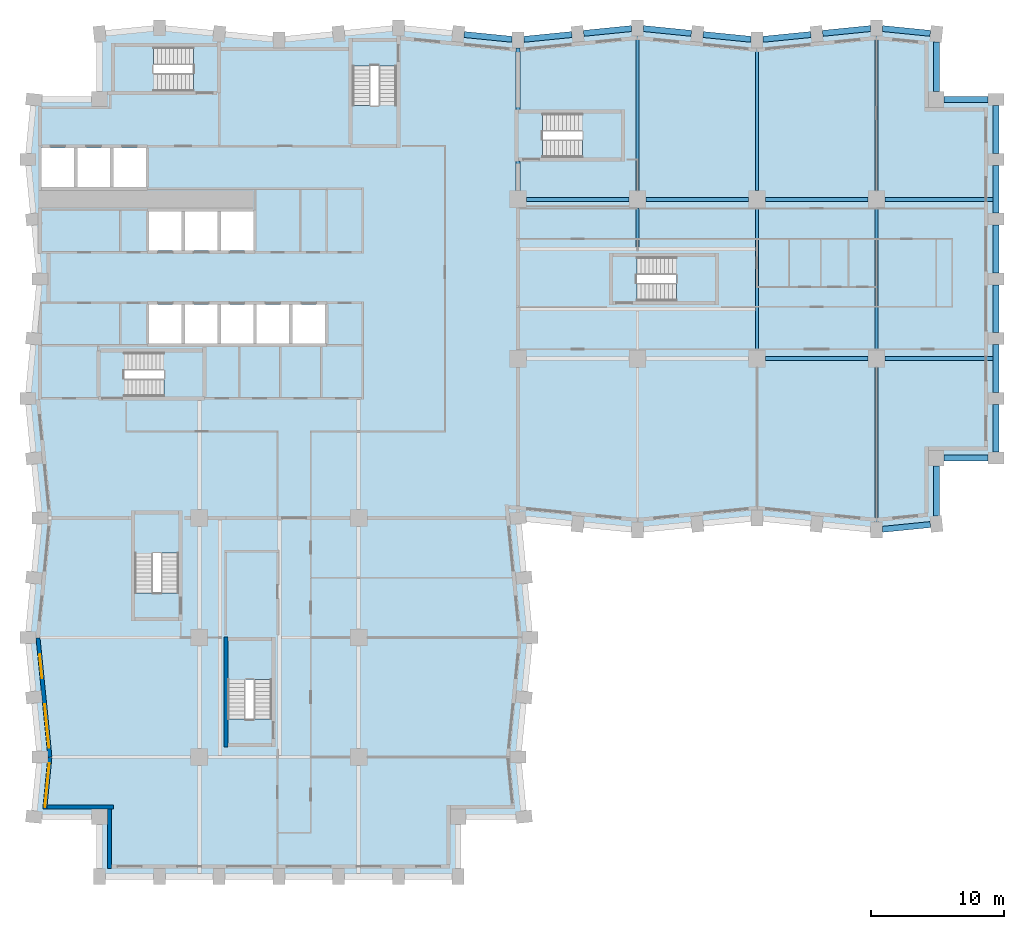
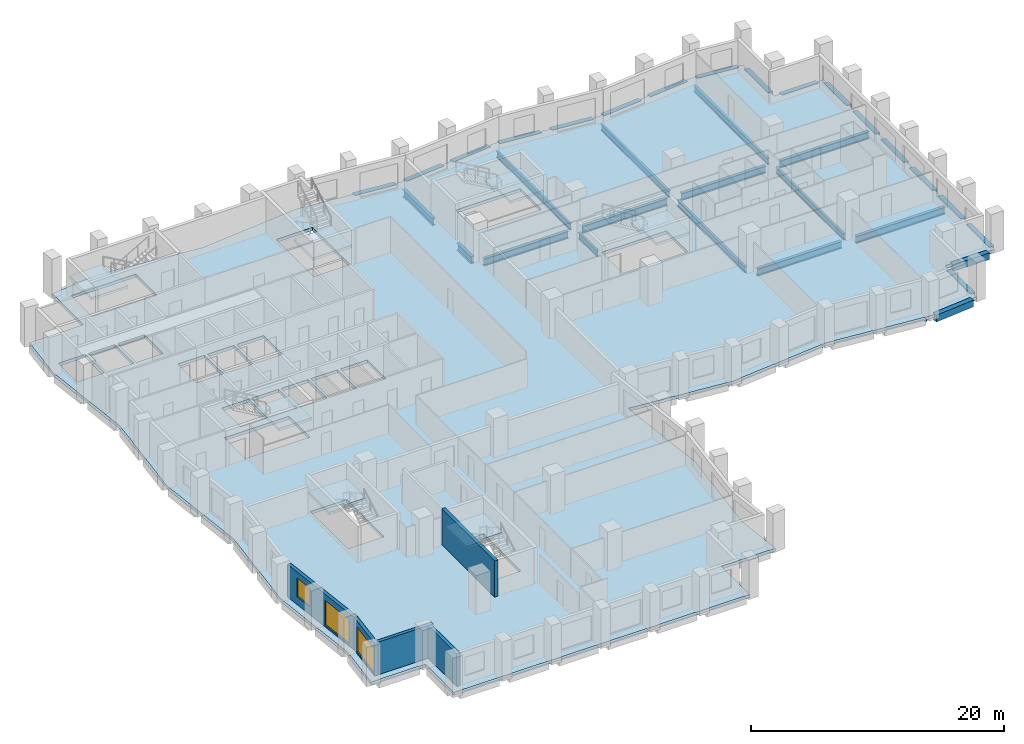
# One storey, part 2 of 11: 34 beams, 8 slabs, 5 walls, 3 windows, 3 openings, 7 elements without a shape of their own.
"""IFC4 building model written with IfcOpenShell, lengths in metres."""

import ifcopenshell
import ifcopenshell.guid

model = None  # the IFC model being written
_history = None  # IfcOwnerHistory: only IFC2X3 demands one
_inside = {}  # id of a spatial element -> (the spatial element, [elements in it])
_under = {}  # id of a project, library or spatial element -> (it, [spatial elements below it])
_declared = {}  # id of a project -> (the project, [libraries it declares])
_typed = {}  # id of a type object -> (the type object, [elements of that type])
_made_of = {}  # id of a material, layer set ... -> (it, [elements and type objects made of it])


def new_model(schema):
    """Start an empty IFC model of exactly this schema.

    Asked for "IFC4X3", IfcOpenShell would pick the latest addendum, in which some entities
    have other attributes; the version numbers below select the first issue.
    IFC2X3 requires an IfcOwnerHistory on every rooted entity: one is made here for all.
    """
    global model, _history
    if schema == "IFC4X3":
        model = ifcopenshell.file(schema_version=(4, 3, 0, 0))
    else:
        model = ifcopenshell.file(schema=schema)
    _inside.clear()
    _under.clear()
    _declared.clear()
    _typed.clear()
    _made_of.clear()
    _history = None
    if model.schema == "IFC2X3":
        org = make("IfcOrganization", Name="unknown")
        user = make(
            "IfcPersonAndOrganization",
            ThePerson=make("IfcPerson", FamilyName="unknown"),
            TheOrganization=org,
        )
        app = make(
            "IfcApplication",
            ApplicationDeveloper=org,
            Version="unknown",
            ApplicationFullName="unknown",
            ApplicationIdentifier="unknown",
        )
        _history = make(
            "IfcOwnerHistory",
            OwningUser=user,
            OwningApplication=app,
            ChangeAction="ADDED",
            CreationDate=0,
        )
    return model


def make(cls, **values):
    """One entity of the class cls with the attributes given. An attribute that is None is left unset."""
    return model.create_entity(
        cls, **{name: value for name, value in values.items() if value is not None}
    )


def rooted(cls, **values):
    """An entity with a GlobalId (a new one), such as an element, a storey or a relation."""
    return make(cls, GlobalId=ifcopenshell.guid.new(), OwnerHistory=_history, **values)


def si_unit(unit_type, name, prefix=None):
    """IfcSIUnit, for example si_unit("LENGTHUNIT", "METRE", prefix="MILLI")."""
    return make("IfcSIUnit", UnitType=unit_type, Prefix=prefix, Name=name)


def assignment(units):
    """IfcUnitAssignment: the units of a project."""
    return None if units is None else make("IfcUnitAssignment", Units=units)


def point(xyz):
    """IfcCartesianPoint."""
    return None if xyz is None else make("IfcCartesianPoint", Coordinates=xyz)


def direction(xyz):
    """IfcDirection."""
    return None if xyz is None else make("IfcDirection", DirectionRatios=xyz)


def frame(location, z_axis=None, x_axis=None):
    """IfcAxis2Placement3D, a coordinate frame: its origin and axes. An axis left out is left unset."""
    return make(
        "IfcAxis2Placement3D",
        Location=point(location),
        Axis=direction(z_axis),
        RefDirection=direction(x_axis),
    )


def frame_2d(location, x_axis=None):
    """IfcAxis2Placement2D, a coordinate frame in the plane: its origin and x axis."""
    return make(
        "IfcAxis2Placement2D", Location=point(location), RefDirection=direction(x_axis)
    )


def origin():
    """The frame at (0, 0, 0) with its axes left unset."""
    return frame((0.0, 0.0, 0.0))


def origin_2d():
    """The frame at (0, 0) in the plane with its x axis left unset."""
    return frame_2d((0.0, 0.0))


def place(relative_to, where):
    """IfcLocalPlacement: puts the frame where relative to a parent placement (None: the world)."""
    return make(
        "IfcLocalPlacement", PlacementRelTo=relative_to, RelativePlacement=where
    )


def context(
    kind, dimensions, precision=None, world=None, true_north=None, identifier=None
):
    """IfcGeometricRepresentationContext, for example the 3D "Model" context."""
    return make(
        "IfcGeometricRepresentationContext",
        ContextIdentifier=identifier,
        ContextType=kind,
        CoordinateSpaceDimension=dimensions,
        Precision=precision,
        WorldCoordinateSystem=world,
        TrueNorth=true_north,
    )


def subcontext(parent, identifier, kind, view, scale=None):
    """IfcGeometricRepresentationSubContext, for example "Body" below "Model"."""
    return make(
        "IfcGeometricRepresentationSubContext",
        ContextIdentifier=identifier,
        ContextType=kind,
        ParentContext=parent,
        TargetScale=scale,
        TargetView=view,
    )


def project(units=None, contexts=None):
    """IfcProject with its units and contexts."""
    return rooted(
        "IfcProject",
        Name="project",
        RepresentationContexts=contexts,
        UnitsInContext=assignment(units),
    )


def spatial(cls, under=None, at=None, **own):
    """A site, building, storey or space (cls), placed at a placement, below another one or the project."""
    s = rooted(cls, ObjectPlacement=at, **own)
    if under is not None:
        _under.setdefault(under.id(), (under, []))[1].append(s)
    return s


def polyline(points):
    """IfcPolyline through the points."""
    return make("IfcPolyline", Points=[point(p) for p in points])


def profile(cls, at=None, kind="AREA", **sizes):
    """A parametric profile (cls). Its sizes go by their IFC names, for example OverallWidth=200.0."""
    return make(cls, ProfileType=kind, Position=at, **sizes)


def rectangle(**sizes):
    """IfcRectangleProfileDef."""
    return profile("IfcRectangleProfileDef", **sizes)


def i_section(**sizes):
    """IfcIShapeProfileDef."""
    return profile("IfcIShapeProfileDef", **sizes)


def outline(outer, holes=None, kind="AREA"):
    """IfcArbitraryClosedProfileDef: a profile drawn as a closed curve; with holes, ...WithVoids."""
    if holes is None:
        return make("IfcArbitraryClosedProfileDef", ProfileType=kind, OuterCurve=outer)
    return make(
        "IfcArbitraryProfileDefWithVoids",
        ProfileType=kind,
        OuterCurve=outer,
        InnerCurves=holes,
    )


def extrude(swept, where, along, depth):
    """IfcExtrudedAreaSolid: the profile swept, set in the frame where, extruded along a direction by depth."""
    return make(
        "IfcExtrudedAreaSolid",
        SweptArea=swept,
        Position=where,
        ExtrudedDirection=direction(along),
        Depth=depth,
    )


def shape(context_of_items, identifier, shape_type, items):
    """IfcShapeRepresentation: the items that make up one representation, for example the "Body"."""
    return make(
        "IfcShapeRepresentation",
        ContextOfItems=context_of_items,
        RepresentationIdentifier=identifier,
        RepresentationType=shape_type,
        Items=items,
    )


def material(Name=None, Category=None):
    """IfcMaterial."""
    return make("IfcMaterial", Name=Name, Category=Category)


def layer(
    of_material, thickness, ventilated=None, Name=None, Category=None, Priority=None
):
    """IfcMaterialLayer: one layer of a wall or slab, of a material (None: an air gap)."""
    return make(
        "IfcMaterialLayer",
        Material=of_material,
        LayerThickness=thickness,
        IsVentilated=ventilated,
        Name=Name,
        Category=Category,
        Priority=Priority,
    )


def layer_set(layers, Name=None):
    """IfcMaterialLayerSet."""
    return make("IfcMaterialLayerSet", MaterialLayers=layers, LayerSetName=Name)


def material_profile(
    of_material, cross_section, Name=None, Category=None, Priority=None
):
    """IfcMaterialProfile: a cross section and its material."""
    return make(
        "IfcMaterialProfile",
        Name=Name,
        Material=of_material,
        Profile=cross_section,
        Priority=Priority,
        Category=Category,
    )


def profile_set(profiles, Name=None, composite=None):
    """IfcMaterialProfileSet."""
    return make(
        "IfcMaterialProfileSet",
        Name=Name,
        MaterialProfiles=profiles,
        CompositeProfile=composite,
    )


def made_of(thing, what):
    """Note that an element or type object is made of a material, layer set ...; save() writes the relation."""
    if what is not None:
        _made_of.setdefault(what.id(), (what, []))[1].append(thing)
    return thing


def type_object(cls, material=None, **own):
    """A type object (cls), such as IfcWallType, which elements share."""
    return made_of(rooted(cls, **own), material)


def element(
    cls,
    number,
    at=None,
    inside=None,
    cuts=None,
    type_object=None,
    material=None,
    context=None,
    identifier="Body",
    shape_type=None,
    held_by="IfcProductDefinitionShape",
    body=None,
    shapes=None,
    **own,
):
    """One element of the class cls, such as IfcWall. Its Tag is "e" and its number.

    at: its placement. inside: the storey or other place that contains it. cuts: it is an
    opening in that element (IfcRelVoidsElement). A single representation is given by context,
    identifier, shape_type and body (its items); several are given by shapes. held_by: the class
    of the entity that holds the representations. save() writes the other relations.
    """
    e = rooted(cls, Tag="e%d" % number, ObjectPlacement=at, **own)
    if body is not None:
        shapes = [shape(context, identifier, shape_type, body)]
    if shapes is not None:
        e.Representation = make(held_by, Representations=shapes)
    if inside is not None:
        _inside.setdefault(inside.id(), (inside, []))[1].append(e)
    if cuts is not None:
        rooted(
            "IfcRelVoidsElement", RelatingBuildingElement=cuts, RelatedOpeningElement=e
        )
    if type_object is not None:
        _typed.setdefault(type_object.id(), (type_object, []))[1].append(e)
    return made_of(e, material)


def fill(opening, filler):
    """IfcRelFillsElement: the door or window that sits in an opening."""
    return rooted(
        "IfcRelFillsElement",
        RelatingOpeningElement=opening,
        RelatedBuildingElement=filler,
    )


def aggregate(whole, parts):
    """IfcRelAggregates: a whole, such as a stair, and the parts it consists of."""
    return rooted("IfcRelAggregates", RelatingObject=whole, RelatedObjects=parts)


def save(model, path):
    """Write the relations noted so far, then the file.

    IfcRelAggregates (storeys below a building ...), IfcRelContainedInSpatialStructure (elements
    in a storey), IfcRelDefinesByType, IfcRelAssociatesMaterial and IfcRelDeclares: one each for
    every whole, place, type object, material and project.
    """
    for whole, parts in _under.values():
        aggregate(whole, parts)
    for where, things in _inside.values():
        rooted(
            "IfcRelContainedInSpatialStructure",
            RelatedElements=things,
            RelatingStructure=where,
        )
    for kind, things in _typed.values():
        rooted("IfcRelDefinesByType", RelatedObjects=things, RelatingType=kind)
    for what, things in _made_of.values():
        rooted("IfcRelAssociatesMaterial", RelatedObjects=things, RelatingMaterial=what)
    for by, libraries in _declared.values():
        rooted("IfcRelDeclares", RelatingContext=by, RelatedDefinitions=libraries)
    model.write(path)


model = new_model("IFC4")

# Units and contexts
model_context = context("Model", 3, precision=1e-05, world=origin(), true_north=direction((0.0, 1.0)))
body_context = subcontext(model_context, "Body", "Model", "MODEL_VIEW")
ifc_project = project(units=[si_unit("LENGTHUNIT", "METRE"), si_unit("AREAUNIT", "SQUARE_METRE"), si_unit("VOLUMEUNIT", "CUBIC_METRE"), si_unit("PLANEANGLEUNIT", "RADIAN"), si_unit("MASSUNIT", "GRAM", prefix="KILO")], contexts=[model_context])

# Site, building, storey
site_placement = place(None, origin())
site = spatial("IfcSite", under=ifc_project, at=site_placement, CompositionType="ELEMENT")
building_placement = place(site_placement, origin())
building = spatial("IfcBuilding", under=site, at=building_placement, Name="Brondeck Convention Tower", CompositionType="ELEMENT")
storey_placement = place(building_placement, frame((0.0, 0.0, 99.89990234375)))
storey = spatial("IfcBuildingStorey", under=building, at=storey_placement, Name="L23", CompositionType="ELEMENT", Elevation=99.89990234375)

# Beams
ifc_material_1 = material(Name="Steel S355", Category="steel")
ifc_material_profile_1 = material_profile(ifc_material_1, i_section(OverallWidth=0.219970703125, OverallDepth=0.60009765625, WebThickness=0.011962890625, FlangeThickness=0.01904296875, FilletRadius=0.02392578125, at=origin_2d()), Name="IPE 600")
ifc_profile_set_1 = profile_set([ifc_material_profile_1], Name="Steel S355")
beam_type_1 = type_object("IfcBeamType", Name="Floor beam IPE 600", PredefinedType="BEAM", material=ifc_profile_set_1)
beam_1_placement = place(storey_placement, frame((45.0, 51.64990234375, -0.599853515625), z_axis=(0.0, 1.0, 0.0), x_axis=(-1.0, 0.0, 0.0)))
element("IfcBeam", 1, at=beam_1_placement, inside=storey, type_object=beam_type_1, Name="STR-FB-L23-002", PredefinedType="BEAM", context=body_context, shape_type="SweptSolid", body=[
    extrude(i_section(OverallWidth=0.219970703125, OverallDepth=0.60009765625, WebThickness=0.011962890625, FlangeThickness=0.01904296875, FilletRadius=0.02392578125, at=origin_2d()), origin(), (0.0, 0.0, 1.0), 11.650146484375),
])
beam_2_placement = place(storey_placement, frame((54.0, 39.64990234375, -0.599853515625), z_axis=(0.0, 1.0, 0.0), x_axis=(-1.0, 0.0, 0.0)))
element("IfcBeam", 2, at=beam_2_placement, inside=storey, type_object=beam_type_1, Name="STR-FB-L23-004", PredefinedType="BEAM", context=body_context, shape_type="SweptSolid", body=[
    extrude(i_section(OverallWidth=0.219970703125, OverallDepth=0.60009765625, WebThickness=0.011962890625, FlangeThickness=0.01904296875, FilletRadius=0.02392578125, at=origin_2d()), origin(), (0.0, 0.0, 1.0), 10.7001953125),
])
beam_3_placement = place(storey_placement, frame((54.0, 51.64990234375, -0.599853515625), z_axis=(0.0, 1.0, 0.0), x_axis=(-1.0, 0.0, 0.0)))
element("IfcBeam", 3, at=beam_3_placement, inside=storey, type_object=beam_type_1, Name="STR-FB-L23-005", PredefinedType="BEAM", context=body_context, shape_type="SweptSolid", body=[
    extrude(i_section(OverallWidth=0.219970703125, OverallDepth=0.60009765625, WebThickness=0.011962890625, FlangeThickness=0.01904296875, FilletRadius=0.02392578125, at=origin_2d()), origin(), (0.0, 0.0, 1.0), 10.75),
])
beam_4_placement = place(storey_placement, frame((63.0, 26.699951171875, -0.599853515625), z_axis=(0.0, 1.0, 0.0), x_axis=(-1.0, 0.0, 0.0)))
element("IfcBeam", 4, at=beam_4_placement, inside=storey, type_object=beam_type_1, Name="STR-FB-L23-006", PredefinedType="BEAM", context=body_context, shape_type="SweptSolid", body=[
    extrude(i_section(OverallWidth=0.219970703125, OverallDepth=0.60009765625, WebThickness=0.011962890625, FlangeThickness=0.01904296875, FilletRadius=0.02392578125, at=origin_2d()), origin(), (0.0, 0.0, 1.0), 11.650146484375),
])
beam_5_placement = place(storey_placement, frame((63.0, 39.64990234375, -0.599853515625), z_axis=(0.0, 1.0, 0.0), x_axis=(-1.0, 0.0, 0.0)))
element("IfcBeam", 5, at=beam_5_placement, inside=storey, type_object=beam_type_1, Name="STR-FB-L23-007", PredefinedType="BEAM", context=body_context, shape_type="SweptSolid", body=[
    extrude(i_section(OverallWidth=0.219970703125, OverallDepth=0.60009765625, WebThickness=0.011962890625, FlangeThickness=0.01904296875, FilletRadius=0.02392578125, at=origin_2d()), origin(), (0.0, 0.0, 1.0), 10.7001953125),
])
beam_6_placement = place(storey_placement, frame((63.0, 51.64990234375, -0.599853515625), z_axis=(0.0, 1.0, 0.0), x_axis=(-1.0, 0.0, 0.0)))
element("IfcBeam", 6, at=beam_6_placement, inside=storey, type_object=beam_type_1, Name="STR-FB-L23-008", PredefinedType="BEAM", context=body_context, shape_type="SweptSolid", body=[
    extrude(i_section(OverallWidth=0.219970703125, OverallDepth=0.60009765625, WebThickness=0.011962890625, FlangeThickness=0.01904296875, FilletRadius=0.02392578125, at=origin_2d()), origin(), (0.0, 0.0, 1.0), 11.650146484375),
])
beam_7_placement = place(storey_placement, frame((45.0, 47.39990234375, -0.599853515625), z_axis=(0.0, 1.0, 0.0), x_axis=(-1.0, 0.0, 0.0)))
element("IfcBeam", 7, at=beam_7_placement, inside=storey, type_object=beam_type_1, Name="STR-FB-L23-015", PredefinedType="BEAM", context=body_context, shape_type="SweptSolid", body=[
    extrude(i_section(OverallWidth=0.219970703125, OverallDepth=0.60009765625, WebThickness=0.011962890625, FlangeThickness=0.01904296875, FilletRadius=0.02392578125, at=origin_2d()), origin(), (0.0, 0.0, 1.0), 2.9501953125),
])
ifc_material_profile_2 = material_profile(ifc_material_1, i_section(OverallWidth=0.300048828125, OverallDepth=0.699951171875, WebThickness=0.01708984375, FlangeThickness=0.031982421875, FilletRadius=0.027099609375, at=origin_2d()), Name="HEB 700")
ifc_profile_set_2 = profile_set([ifc_material_profile_2], Name="Steel S355")
beam_type_2 = type_object("IfcBeamType", Name="Girder HEB 700", PredefinedType="BEAM", material=ifc_profile_set_2)
beam_8_placement = place(storey_placement, frame((54.64990234375, 39.0, -0.64990234375), z_axis=(1.0, 0.0, 0.0), x_axis=(0.0, 1.0, 0.0)))
element("IfcBeam", 8, at=beam_8_placement, inside=storey, type_object=beam_type_2, Name="STR-GR-L23-003", PredefinedType="BEAM", context=body_context, shape_type="SweptSolid", body=[
    extrude(i_section(OverallWidth=0.300048828125, OverallDepth=0.699951171875, WebThickness=0.01708984375, FlangeThickness=0.031982421875, FilletRadius=0.027099609375, at=origin_2d()), origin(), (0.0, 0.0, 1.0), 7.7001953125),
])
beam_9_placement = place(storey_placement, frame((63.64990234375, 39.0, -0.64990234375), z_axis=(1.0, 0.0, 0.0), x_axis=(0.0, 1.0, 0.0)))
element("IfcBeam", 9, at=beam_9_placement, inside=storey, type_object=beam_type_2, Name="STR-GR-L23-004", PredefinedType="BEAM", context=body_context, shape_type="SweptSolid", body=[
    extrude(i_section(OverallWidth=0.300048828125, OverallDepth=0.699951171875, WebThickness=0.01708984375, FlangeThickness=0.031982421875, FilletRadius=0.027099609375, at=origin_2d()), origin(), (0.0, 0.0, 1.0), 8.125),
])
for number, where, z_axis, x_axis, name in (
    (10, (36.64990234375, 51.0, -0.64990234375), (1.0, 0.0, 0.0), (0.0, 1.0, 0.0), "STR-GR-L23-005"),
    (11, (45.64990234375, 51.0, -0.64990234375), (1.0, 0.0, 0.0), (0.0, 1.0, 0.0), "STR-GR-L23-006"),
    (12, (54.64990234375, 51.0, -0.64990234375), (1.0, 0.0, 0.0), (0.0, 1.0, 0.0), "STR-GR-L23-007"),
):
    element("IfcBeam", number, at=place(storey_placement, frame(where, z_axis=z_axis, x_axis=x_axis)), inside=storey, type_object=beam_type_2, Name=name, PredefinedType="BEAM", context=body_context, shape_type="SweptSolid", body=[
        extrude(i_section(OverallWidth=0.300048828125, OverallDepth=0.699951171875, WebThickness=0.01708984375, FlangeThickness=0.031982421875, FilletRadius=0.027099609375, at=origin_2d()), origin(), (0.0, 0.0, 1.0), 7.7001953125),
    ])
beam_10_placement = place(storey_placement, frame((63.64990234375, 51.0, -0.64990234375), z_axis=(1.0, 0.0, 0.0), x_axis=(0.0, 1.0, 0.0)))
element("IfcBeam", 13, at=beam_10_placement, inside=storey, type_object=beam_type_2, Name="STR-GR-L23-008", PredefinedType="BEAM", context=body_context, shape_type="SweptSolid", body=[
    extrude(i_section(OverallWidth=0.300048828125, OverallDepth=0.699951171875, WebThickness=0.01708984375, FlangeThickness=0.031982421875, FilletRadius=0.027099609375, at=origin_2d()), origin(), (0.0, 0.0, 1.0), 8.125),
])
beam_11_placement = place(storey_placement, frame((36.0, 51.64990234375, -0.64990234375), z_axis=(0.0, 1.0, 0.0), x_axis=(-1.0, 0.0, 0.0)))
element("IfcBeam", 14, at=beam_11_placement, inside=storey, type_object=beam_type_2, Name="STR-GR-L23-011", PredefinedType="BEAM", context=body_context, shape_type="SweptSolid", body=[
    extrude(i_section(OverallWidth=0.300048828125, OverallDepth=0.699951171875, WebThickness=0.01708984375, FlangeThickness=0.031982421875, FilletRadius=0.027099609375, at=origin_2d()), origin(), (0.0, 0.0, 1.0), 2.22998046875),
])
beam_12_placement = place(storey_placement, frame((36.0, 57.719970703125, -0.64990234375), z_axis=(0.0, 1.0, 0.0), x_axis=(-1.0, 0.0, 0.0)))
element("IfcBeam", 15, at=beam_12_placement, inside=storey, type_object=beam_type_2, Name="STR-GR-L23-012", PredefinedType="BEAM", context=body_context, shape_type="SweptSolid", body=[
    extrude(i_section(OverallWidth=0.300048828125, OverallDepth=0.699951171875, WebThickness=0.01708984375, FlangeThickness=0.031982421875, FilletRadius=0.027099609375, at=origin_2d()), origin(), (0.0, 0.0, 1.0), 4.679931640625),
])
ifc_material_2 = material(Name="Concrete C70/85", Category="concrete")
ifc_material_profile_3 = material_profile(ifc_material_2, rectangle(XDim=0.449951171875, YDim=0.64990234375, at=origin_2d()), Name="Precast spandrel 450x650 Concrete C70/85")
ifc_profile_set_3 = profile_set([ifc_material_profile_3], Name="Concrete C70/85")
beam_type_3 = type_object("IfcBeamType", Name="Precast spandrel 450x650 Concrete C70/85", PredefinedType="SPANDREL", material=ifc_profile_set_3)
beam_13_placement = place(storey_placement, frame((63.449951171875, 26.14501953125, -0.324951171875), z_axis=(0.995040528141, 0.099470334057, 0.0), x_axis=(-0.099470334057, 0.995040528141, 0.0)))
element("IfcBeam", 16, at=beam_13_placement, inside=storey, type_object=beam_type_3, Name="STR-SP-L23-020", PredefinedType="SPANDREL", context=body_context, shape_type="SweptSolid", body=[
    extrude(rectangle(XDim=0.449951171875, YDim=0.64990234375, at=origin_2d()), origin(), (0.0, 0.0, 1.0), 3.620361328125),
])
beam_14_placement = place(storey_placement, frame((67.5, 27.153076171875, -0.324951171875), z_axis=(0.0, 1.0, 0.0), x_axis=(-1.0, 0.0, 0.0)))
element("IfcBeam", 17, at=beam_14_placement, inside=storey, type_object=beam_type_3, Name="STR-SP-L23-021", PredefinedType="SPANDREL", context=body_context, shape_type="SweptSolid", body=[
    extrude(rectangle(XDim=0.449951171875, YDim=0.64990234375, at=origin_2d()), origin(), (0.0, 0.0, 1.0), 3.746826171875),
])
beam_15_placement = place(storey_placement, frame((68.10009765625, 31.5, -0.324951171875), z_axis=(1.0, 0.0, 0.0), x_axis=(0.0, 1.0, 0.0)))
element("IfcBeam", 18, at=beam_15_placement, inside=storey, type_object=beam_type_3, Name="STR-SP-L23-022", PredefinedType="SPANDREL", context=body_context, shape_type="SweptSolid", body=[
    extrude(rectangle(XDim=0.449951171875, YDim=0.64990234375, at=origin_2d()), origin(), (0.0, 0.0, 1.0), 3.2998046875),
])
for number, where, z_axis, x_axis, name in (
    (19, (72.0, 31.949951171875, -0.324951171875), (0.0, 1.0, 0.0), (-1.0, 0.0, 0.0), "STR-SP-L23-023"),
    (20, (72.0, 36.449951171875, -0.324951171875), (0.0, 1.0, 0.0), (-1.0, 0.0, 0.0), "STR-SP-L23-024"),
    (21, (72.0, 40.949951171875, -0.324951171875), (0.0, 1.0, 0.0), (-1.0, 0.0, 0.0), "STR-SP-L23-025"),
    (22, (72.0, 45.449951171875, -0.324951171875), (0.0, 1.0, 0.0), (-1.0, 0.0, 0.0), "STR-SP-L23-026"),
    (23, (72.0, 49.949951171875, -0.324951171875), (0.0, 1.0, 0.0), (-1.0, 0.0, 0.0), "STR-SP-L23-027"),
    (24, (72.0, 54.449951171875, -0.324951171875), (0.0, 1.0, 0.0), (-1.0, 0.0, 0.0), "STR-SP-L23-028"),
):
    element("IfcBeam", number, at=place(storey_placement, frame(where, z_axis=z_axis, x_axis=x_axis)), inside=storey, type_object=beam_type_3, Name=name, PredefinedType="SPANDREL", context=body_context, shape_type="SweptSolid", body=[
        extrude(rectangle(XDim=0.449951171875, YDim=0.64990234375, at=origin_2d()), origin(), (0.0, 0.0, 1.0), 3.60009765625),
    ])
beam_16_placement = place(storey_placement, frame((71.39990234375, 58.5, -0.324951171875), z_axis=(-1.0, 0.0, 0.0), x_axis=(0.0, -1.0, 0.0)))
element("IfcBeam", 25, at=beam_16_placement, inside=storey, type_object=beam_type_3, Name="STR-SP-L23-029", PredefinedType="SPANDREL", context=body_context, shape_type="SweptSolid", body=[
    extrude(rectangle(XDim=0.449951171875, YDim=0.64990234375, at=origin_2d()), origin(), (0.0, 0.0, 1.0), 3.2998046875),
])
beam_17_placement = place(storey_placement, frame((67.5, 59.10009765625, -0.324951171875), z_axis=(0.0, 1.0, 0.0), x_axis=(-1.0, 0.0, 0.0)))
element("IfcBeam", 26, at=beam_17_placement, inside=storey, type_object=beam_type_3, Name="STR-SP-L23-030", PredefinedType="SPANDREL", context=body_context, shape_type="SweptSolid", body=[
    extrude(rectangle(XDim=0.449951171875, YDim=0.64990234375, at=origin_2d()), origin(), (0.0, 0.0, 1.0), 3.746826171875),
])
for number, where, z_axis, x_axis, name in (
    (27, (67.05224609375, 63.494873046875, -0.324951171875), (-0.995040528141, 0.099470334057, 0.0), (-0.099470334057, -0.995040528141, 0.0), "STR-SP-L23-031"),
    (28, (62.550048828125, 63.85498046875, -0.324951171875), (-0.995040528141, -0.099470334057, 0.0), (0.099470334057, -0.995040528141, 0.0), "STR-SP-L23-032"),
    (29, (58.05224609375, 63.4052734375, -0.324951171875), (-0.995033851182, -0.099537103649, 0.0), (0.099537103649, -0.995033851182, 0.0), "STR-SP-L23-033"),
    (30, (53.550048828125, 63.044921875, -0.324951171875), (-0.995033851182, 0.099537103649, 0.0), (-0.099537103649, -0.995033851182, 0.0), "STR-SP-L23-034"),
    (31, (49.05224609375, 63.494873046875, -0.324951171875), (-0.995040528141, 0.099470334057, 0.0), (-0.099470334057, -0.995040528141, 0.0), "STR-SP-L23-035"),
    (32, (44.550048828125, 63.85498046875, -0.324951171875), (-0.995040528141, -0.099470334057, 0.0), (0.099470334057, -0.995040528141, 0.0), "STR-SP-L23-036"),
    (33, (40.05224609375, 63.4052734375, -0.324951171875), (-0.995033851182, -0.099537103649, 0.0), (0.099537103649, -0.995033851182, 0.0), "STR-SP-L23-037"),
    (34, (35.550048828125, 63.044921875, -0.324951171875), (-0.995033851182, 0.099537103649, 0.0), (-0.099537103649, -0.995033851182, 0.0), "STR-SP-L23-038"),
):
    element("IfcBeam", number, at=place(storey_placement, frame(where, z_axis=z_axis, x_axis=x_axis)), inside=storey, type_object=beam_type_3, Name=name, PredefinedType="SPANDREL", context=body_context, shape_type="SweptSolid", body=[
        extrude(rectangle(XDim=0.449951171875, YDim=0.64990234375, at=origin_2d()), origin(), (0.0, 0.0, 1.0), 3.620361328125),
    ])

# Slab
ifc_material_3 = material(Name="Concrete C35/45", Category="concrete")
ifc_layer_1 = layer(ifc_material_3, 0.300048828125)
ifc_layer_set_1 = layer_set([ifc_layer_1], Name="Composite floor slab 300")
slab_type_1 = type_object("IfcSlabType", Name="Composite floor slab 300", PredefinedType="FLOOR", material=ifc_layer_set_1)
slab_1_placement = place(storey_placement, frame((0.0, 0.0, -0.2998046875)))
element("IfcSlab", 35, at=slab_1_placement, inside=storey, type_object=slab_type_1, Name="STR-SL-L23", PredefinedType="FLOOR", context=body_context, shape_type="SweptSolid", body=[
    extrude(outline(polyline([(4.5, 4.5), (-0.449951171875, 4.5), (0.0, 9.0), (-0.89990234375, 18.0), (0.0, 27.0), (-0.89990234375, 36.0), (0.0, 45.0), (-0.89990234375, 54.0), (-0.449951171875, 58.5), (4.5, 58.5), (4.5, 63.449951171875), (9.0, 63.89990234375), (18.0, 63.0), (27.0, 63.89990234375), (36.0, 63.0), (45.0, 63.89990234375), (54.0, 63.0), (63.0, 63.89990234375), (67.5, 63.449951171875), (67.5, 58.5), (72.0, 58.5), (72.0, 31.5), (67.5, 31.5), (67.5, 26.550048828125), (63.0, 26.10009765625), (54.0, 27.0), (45.0, 26.10009765625), (36.0, 27.0), (36.89990234375, 18.0), (36.0, 9.0), (36.449951171875, 4.5), (31.5, 4.5), (31.5, 0.0), (4.5, 0.0), (4.5, 4.5)]), holes=[polyline([(10.447998046875, 27.248046875), (7.152099609375, 27.248046875), (7.152099609375, 21.35205078125), (10.447998046875, 21.35205078125), (10.447998046875, 27.248046875)]), polyline([(12.248046875, 36.152099609375), (12.248046875, 39.447998046875), (6.35205078125, 39.447998046875), (6.35205078125, 36.152099609375), (12.248046875, 36.152099609375)]), polyline([(10.675048828125, 40.125), (10.675048828125, 43.074951171875), (8.22509765625, 43.074951171875), (8.22509765625, 40.125), (10.675048828125, 40.125)]), polyline([(10.675048828125, 47.125), (10.675048828125, 50.074951171875), (8.22509765625, 50.074951171875), (8.22509765625, 47.125), (10.675048828125, 47.125)]), polyline([(13.375, 47.125), (13.375, 50.074951171875), (10.925048828125, 50.074951171875), (10.925048828125, 47.125), (13.375, 47.125)]), polyline([(2.574951171875, 51.925048828125), (2.574951171875, 54.875), (0.125, 54.875), (0.125, 51.925048828125), (2.574951171875, 51.925048828125)]), polyline([(5.27490234375, 51.925048828125), (5.27490234375, 54.875), (2.824951171875, 54.875), (2.824951171875, 51.925048828125), (5.27490234375, 51.925048828125)]), polyline([(5.52490234375, 51.925048828125), (7.97509765625, 51.925048828125), (7.97509765625, 54.875), (5.52490234375, 54.875), (5.52490234375, 51.925048828125)]), polyline([(11.548095703125, 62.447998046875), (5.652099609375, 62.447998046875), (5.652099609375, 59.152099609375), (11.548095703125, 59.152099609375), (11.548095703125, 62.447998046875)]), polyline([(17.447998046875, 17.748046875), (14.152099609375, 17.748046875), (14.152099609375, 11.85205078125), (17.447998046875, 11.85205078125), (17.447998046875, 17.748046875)]), polyline([(13.375, 40.125), (13.375, 43.074951171875), (10.925048828125, 43.074951171875), (10.925048828125, 40.125), (13.375, 40.125)]), polyline([(16.074951171875, 40.125), (16.074951171875, 43.074951171875), (13.625, 43.074951171875), (13.625, 40.125), (16.074951171875, 40.125)]), polyline([(18.77490234375, 40.125), (18.77490234375, 43.074951171875), (16.324951171875, 43.074951171875), (16.324951171875, 40.125), (18.77490234375, 40.125)]), polyline([(21.47509765625, 40.125), (21.47509765625, 43.074951171875), (19.02490234375, 43.074951171875), (19.02490234375, 40.125), (21.47509765625, 40.125)]), polyline([(50.847900390625, 43.35205078125), (50.847900390625, 46.64794921875), (44.951904296875, 46.64794921875), (44.951904296875, 43.35205078125), (50.847900390625, 43.35205078125)]), polyline([(16.074951171875, 47.125), (16.074951171875, 50.074951171875), (13.625, 50.074951171875), (13.625, 47.125), (16.074951171875, 47.125)]), polyline([(37.85205078125, 54.152099609375), (43.748046875, 54.152099609375), (43.748046875, 57.447998046875), (37.85205078125, 57.447998046875), (37.85205078125, 54.152099609375)]), polyline([(23.552001953125, 61.048095703125), (23.552001953125, 55.152099609375), (26.847900390625, 55.152099609375), (26.847900390625, 61.048095703125), (23.552001953125, 61.048095703125)])]), origin(), (0.0, 0.0, 1.0), 0.2998046875),
])

# Stair, slab
ifc_material_4 = material(Name="Precast concrete C50/60", Category="concrete")
stair_type = type_object("IfcStairType", Name="Core stair 22 risers 172.73 mm riser 300 mm going 1350 wide", PredefinedType="HALF_TURN_STAIR", material=ifc_material_4)
stair_1_placement = place(storey_placement, origin())
stair_1 = element("IfcStair", 36, at=stair_1_placement, inside=storey, type_object=stair_type, Name="ST-1 L23 stair", PredefinedType="HALF_TURN_STAIR")
ifc_layer_2 = layer(ifc_material_4, 0.25)
ifc_layer_set_2 = layer_set([ifc_layer_2], Name="Core stair landing 250 Precast concrete C50/60")
slab_type_2 = type_object("IfcSlabType", Name="Core stair landing 250 Precast concrete C50/60", PredefinedType="LANDING", material=ifc_layer_set_2)
slab_2_placement = place(storey_placement, frame((0.0, 0.0, 1.650146484375)))
slab_2 = element("IfcSlab", 37, at=slab_2_placement, type_object=slab_type_2, Name="ST-1 landing 1", PredefinedType="LANDING", context=body_context, shape_type="SweptSolid", body=[
    extrude(outline(polyline([(9.347900390625, 37.5), (9.35009765625, 37.5), (9.35009765625, 38.10009765625), (9.050048828125, 38.10009765625), (9.050048828125, 39.570068359375), (12.3701171875, 39.570068359375), (12.3701171875, 36.030029296875), (9.347900390625, 36.030029296875), (9.347900390625, 37.5)])), origin(), (0.0, 0.0, 1.0), 0.25),
])
aggregate(stair_1, [slab_2])

stair_2_placement = place(storey_placement, origin())
stair_2 = element("IfcStair", 38, at=stair_2_placement, inside=storey, type_object=stair_type, Name="ST-2 L23 stair", PredefinedType="HALF_TURN_STAIR")
slab_3_placement = place(storey_placement, frame((0.0, 0.0, 1.650146484375)))
slab_3 = element("IfcSlab", 39, at=slab_3_placement, type_object=slab_type_2, Name="ST-2 landing 1", PredefinedType="LANDING", context=body_context, shape_type="SweptSolid", body=[
    extrude(outline(polyline([(23.429931640625, 58.052001953125), (24.89990234375, 58.052001953125), (24.89990234375, 58.050048828125), (25.5, 58.050048828125), (25.5, 58.35009765625), (26.969970703125, 58.35009765625), (26.969970703125, 55.030029296875), (23.429931640625, 55.030029296875), (23.429931640625, 58.052001953125)])), origin(), (0.0, 0.0, 1.0), 0.25),
])
aggregate(stair_2, [slab_3])

stair_3_placement = place(storey_placement, origin())
stair_3 = element("IfcStair", 40, at=stair_3_placement, inside=storey, type_object=stair_type, Name="ST-3 L23 stair", PredefinedType="HALF_TURN_STAIR")
slab_4_placement = place(storey_placement, frame((0.0, 0.0, 1.650146484375)))
slab_4 = element("IfcSlab", 41, at=slab_4_placement, type_object=slab_type_2, Name="ST-3 landing 1", PredefinedType="LANDING", context=body_context, shape_type="SweptSolid", body=[
    extrude(outline(polyline([(8.85009765625, 60.5), (8.85009765625, 59.030029296875), (5.530029296875, 59.030029296875), (5.530029296875, 62.570068359375), (8.552001953125, 62.570068359375), (8.552001953125, 61.10009765625), (8.550048828125, 61.10009765625), (8.550048828125, 60.5), (8.85009765625, 60.5)])), origin(), (0.0, 0.0, 1.0), 0.25),
])
aggregate(stair_3, [slab_4])

stair_4_placement = place(storey_placement, origin())
stair_4 = element("IfcStair", 42, at=stair_4_placement, inside=storey, type_object=stair_type, Name="ST-AE L23 stair", PredefinedType="HALF_TURN_STAIR")
slab_5_placement = place(storey_placement, frame((0.0, 0.0, 1.650146484375)))
slab_5 = element("IfcSlab", 43, at=slab_5_placement, type_object=slab_type_2, Name="ST-AE landing 1", PredefinedType="LANDING", context=body_context, shape_type="SweptSolid", body=[
    extrude(outline(polyline([(40.847900390625, 55.5), (40.85009765625, 55.5), (40.85009765625, 56.10009765625), (40.550048828125, 56.10009765625), (40.550048828125, 57.570068359375), (43.8701171875, 57.570068359375), (43.8701171875, 54.030029296875), (40.847900390625, 54.030029296875), (40.847900390625, 55.5)])), origin(), (0.0, 0.0, 1.0), 0.25),
])
aggregate(stair_4, [slab_5])

stair_5_placement = place(storey_placement, origin())
stair_5 = element("IfcStair", 44, at=stair_5_placement, inside=storey, type_object=stair_type, Name="ST-BE L23 stair", PredefinedType="HALF_TURN_STAIR")
slab_6_placement = place(storey_placement, frame((0.0, 0.0, 1.650146484375)))
slab_6 = element("IfcSlab", 45, at=slab_6_placement, type_object=slab_type_2, Name="ST-BE landing 1", PredefinedType="LANDING", context=body_context, shape_type="SweptSolid", body=[
    extrude(outline(polyline([(7.030029296875, 24.050048828125), (7.030029296875, 27.3701171875), (10.570068359375, 27.3701171875), (10.570068359375, 24.347900390625), (9.10009765625, 24.347900390625), (9.10009765625, 24.35009765625), (8.5, 24.35009765625), (8.5, 24.050048828125), (7.030029296875, 24.050048828125)])), origin(), (0.0, 0.0, 1.0), 0.25),
])
aggregate(stair_5, [slab_6])

stair_6_placement = place(storey_placement, origin())
stair_6 = element("IfcStair", 46, at=stair_6_placement, inside=storey, type_object=stair_type, Name="ST-AF L23 stair", PredefinedType="HALF_TURN_STAIR")
slab_7_placement = place(storey_placement, frame((0.0, 0.0, 1.650146484375)))
slab_7 = element("IfcSlab", 47, at=slab_7_placement, type_object=slab_type_2, Name="ST-AF landing 1", PredefinedType="LANDING", context=body_context, shape_type="SweptSolid", body=[
    extrude(outline(polyline([(47.947998046875, 44.699951171875), (47.949951171875, 44.699951171875), (47.949951171875, 45.300048828125), (47.64990234375, 45.300048828125), (47.64990234375, 46.77001953125), (50.969970703125, 46.77001953125), (50.969970703125, 43.22998046875), (47.947998046875, 43.22998046875), (47.947998046875, 44.699951171875)])), origin(), (0.0, 0.0, 1.0), 0.25),
])
aggregate(stair_6, [slab_7])

stair_7_placement = place(storey_placement, origin())
stair_7 = element("IfcStair", 48, at=stair_7_placement, inside=storey, type_object=stair_type, Name="ST-BF L23 stair", PredefinedType="HALF_TURN_STAIR")
slab_8_placement = place(storey_placement, frame((0.0, 0.0, 1.650146484375)))
slab_8 = element("IfcSlab", 49, at=slab_8_placement, type_object=slab_type_2, Name="ST-BF landing 1", PredefinedType="LANDING", context=body_context, shape_type="SweptSolid", body=[
    extrude(outline(polyline([(14.030029296875, 14.550048828125), (14.030029296875, 17.8701171875), (17.570068359375, 17.8701171875), (17.570068359375, 14.847900390625), (16.10009765625, 14.847900390625), (16.10009765625, 14.85009765625), (15.5, 14.85009765625), (15.5, 14.550048828125), (14.030029296875, 14.550048828125)])), origin(), (0.0, 0.0, 1.0), 0.25),
])
aggregate(stair_7, [slab_8])

# Wall, openings, windows
ifc_material_5 = material(Name="Precast concrete C50/60 bronze finish", Category="concrete")
ifc_layer_3 = layer(ifc_material_5, 0.070068359375, Name="Bronze precast facing")
ifc_material_6 = material(Name="Mineral wool")
ifc_layer_4 = layer(ifc_material_6, 0.159912109375, Name="Insulation")
ifc_layer_5 = layer(ifc_material_3, 0.070068359375, Name="Backing")
ifc_layer_set_3 = layer_set([ifc_layer_3, ifc_layer_4, ifc_layer_5], Name="External infill wall, precast concrete C50/60 bronze facing")
wall_type_1 = type_object("IfcWallType", Name="External infill wall, precast concrete C50/60 bronze facing", PredefinedType="SOLIDWALL", material=ifc_layer_set_3)
wall_1_placement = place(storey_placement, frame((0.755126953125, 8.985107421875, 0.0), z_axis=(0.0, 0.0, 1.0), x_axis=(-0.099495688264, 0.995037993253, 0.0)))
wall_1 = element("IfcWall", 50, at=wall_1_placement, inside=storey, type_object=wall_type_1, Name="ENV-EW-L23-P0-B-W-10", PredefinedType="SOLIDWALL", context=body_context, shape_type="SweptSolid", body=[
    extrude(rectangle(XDim=9.030029296875, YDim=0.300048828125, at=frame_2d((4.51513671875, 0.0))), origin(), (0.0, 0.0, 1.0), 3.150146484375),
])
opening_1_placement = place(wall_1_placement, frame((0.701171875, 0.0, 0.14990234375)))
opening_1 = element("IfcOpeningElement", 51, at=opening_1_placement, cuts=wall_1, Name="Opening W9", PredefinedType="OPENING", context=body_context, shape_type="SweptSolid", body=[
    extrude(rectangle(XDim=3.300048828125, YDim=2.39990234375, at=frame_2d((1.64990234375, 1.199951171875))), frame((0.0, 0.159912109375, 0.0), z_axis=(0.0, -1.0, 0.0), x_axis=(1.0, 0.0, 0.0)), (0.0, 0.0, 1.0), 0.320068359375),
])
opening_2_placement = place(wall_1_placement, frame((5.9736328125, 0.0, 0.75)))
opening_2 = element("IfcOpeningElement", 52, at=opening_2_placement, cuts=wall_1, Name="Opening W10", PredefinedType="OPENING", context=body_context, shape_type="SweptSolid", body=[
    extrude(rectangle(XDim=1.800048828125, YDim=1.800048828125, at=frame_2d((0.89990234375, 0.89990234375))), frame((0.0, 0.159912109375, 0.0), z_axis=(0.0, -1.0, 0.0), x_axis=(1.0, 0.0, 0.0)), (0.0, 0.0, 1.0), 0.320068359375),
])
ifc_material_7 = material(Name="Bronze tinted double glazing", Category="glass")
window_type_1 = type_object("IfcWindowType", Name="Glazed flute window, bronze tinted", PartitioningType="SINGLE_PANEL", PredefinedType="WINDOW", material=ifc_material_7)
window_1_placement = place(opening_1_placement, origin())
window_1 = element("IfcWindow", 53, at=window_1_placement, inside=storey, type_object=window_type_1, Name="ENV-WN-L23-P0-B-W-11", OverallHeight=2.39990234375, OverallWidth=3.300048828125, PartitioningType="SINGLE_PANEL", PredefinedType="WINDOW", context=body_context, shape_type="SweptSolid", body=[
    extrude(rectangle(XDim=3.300048828125, YDim=2.39990234375, at=frame_2d((1.64990234375, 1.199951171875))), frame((0.0, 0.030029296875, 0.0), z_axis=(0.0, -1.0, 0.0), x_axis=(1.0, 0.0, 0.0)), (0.0, 0.0, 1.0), 0.06005859375),
])
fill(opening_1, window_1)
window_type_2 = type_object("IfcWindowType", Name="Punched window, bronze tinted", PartitioningType="SINGLE_PANEL", PredefinedType="WINDOW", material=ifc_material_7)
window_2_placement = place(opening_2_placement, origin())
window_2 = element("IfcWindow", 54, at=window_2_placement, inside=storey, type_object=window_type_2, Name="ENV-WN-L23-P0-B-W-10", OverallHeight=1.800048828125, OverallWidth=1.800048828125, PartitioningType="SINGLE_PANEL", PredefinedType="WINDOW", context=body_context, shape_type="SweptSolid", body=[
    extrude(rectangle(XDim=1.800048828125, YDim=1.800048828125, at=frame_2d((0.89990234375, 0.89990234375))), frame((0.0, 0.030029296875, 0.0), z_axis=(0.0, -1.0, 0.0), x_axis=(1.0, 0.0, 0.0)), (0.0, 0.0, 1.0), 0.06005859375),
])
fill(opening_2, window_2)

# Wall, opening, window
wall_2_placement = place(storey_placement, frame((0.3623046875, 5.085205078125, 0.0), z_axis=(0.0, 0.0, 1.0), x_axis=(0.099485145752, 0.995039047362, 0.0)))
wall_2 = element("IfcWall", 55, at=wall_2_placement, inside=storey, type_object=wall_type_1, Name="ENV-EW-L23-P0-B-W-12", PredefinedType="SOLIDWALL", context=body_context, shape_type="SweptSolid", body=[
    extrude(rectangle(XDim=3.904296875, YDim=0.300048828125, at=frame_2d((1.9521484375, 0.0))), origin(), (0.0, 0.0, 1.0), 3.150146484375),
])
opening_3_placement = place(wall_2_placement, frame((0.14990234375, 0.0, 0.14990234375)))
opening_3 = element("IfcOpeningElement", 56, at=opening_3_placement, cuts=wall_2, Name="Opening W9", PredefinedType="OPENING", context=body_context, shape_type="SweptSolid", body=[
    extrude(rectangle(XDim=3.300048828125, YDim=2.39990234375, at=frame_2d((1.64990234375, 1.199951171875))), frame((0.0, 0.159912109375, 0.0), z_axis=(0.0, -1.0, 0.0), x_axis=(1.0, 0.0, 0.0)), (0.0, 0.0, 1.0), 0.320068359375),
])
window_3_placement = place(opening_3_placement, origin())
window_3 = element("IfcWindow", 57, at=window_3_placement, inside=storey, type_object=window_type_1, Name="ENV-WN-L23-P0-B-W-12", OverallHeight=2.39990234375, OverallWidth=3.300048828125, PartitioningType="SINGLE_PANEL", PredefinedType="WINDOW", context=body_context, shape_type="SweptSolid", body=[
    extrude(rectangle(XDim=3.300048828125, YDim=2.39990234375, at=frame_2d((1.64990234375, 1.199951171875))), frame((0.0, 0.030029296875, 0.0), z_axis=(0.0, -1.0, 0.0), x_axis=(1.0, 0.0, 0.0)), (0.0, 0.0, 1.0), 0.06005859375),
])
fill(opening_3, window_3)

# Walls
wall_3_placement = place(storey_placement, frame((5.550048828125, 5.25, 0.0), z_axis=(0.0, 0.0, 1.0), x_axis=(-1.0, 0.0, 0.0)))
element("IfcWall", 58, at=wall_3_placement, inside=storey, type_object=wall_type_1, Name="ENV-EW-L23-P0-NC-SWB0-01", PredefinedType="SOLIDWALL", context=body_context, shape_type="SweptSolid", body=[
    extrude(rectangle(XDim=5.015380859375, YDim=0.300048828125, at=frame_2d((2.5078125, 0.0))), origin(), (0.0, 0.0, 1.0), 3.150146484375),
])
wall_4_placement = place(storey_placement, frame((5.25, 0.60009765625, 0.0), z_axis=(0.0, 0.0, 1.0), x_axis=(0.0, 1.0, 0.0)))
element("IfcWall", 59, at=wall_4_placement, inside=storey, type_object=wall_type_1, Name="ENV-EW-L23-P0-NC-SWB0-02", PredefinedType="SOLIDWALL", context=body_context, shape_type="SweptSolid", body=[
    extrude(rectangle(XDim=4.5, YDim=0.300048828125, at=frame_2d((2.25, 0.0))), origin(), (0.0, 0.0, 1.0), 3.150146484375),
])
ifc_layer_6 = layer(ifc_material_2, 0.300048828125)
ifc_layer_set_4 = layer_set([ifc_layer_6], Name="Stair enclosure wall 300 Concrete C70/85")
wall_type_2 = type_object("IfcWallType", Name="Stair enclosure wall 300 Concrete C70/85", PredefinedType="SHEAR", material=ifc_layer_set_4)
wall_5_placement = place(storey_placement, frame((14.0, 9.75, 0.0), z_axis=(0.0, 0.0, 1.0), x_axis=(0.0, 1.0, 0.0)))
element("IfcWall", 60, at=wall_5_placement, inside=storey, type_object=wall_type_2, Name="L23 core wall", PredefinedType="SHEAR", context=body_context, shape_type="SweptSolid", body=[
    extrude(rectangle(XDim=8.300048828125, YDim=0.300048828125, at=frame_2d((4.14990234375, 0.0))), origin(), (0.0, 0.0, 1.0), 3.5),
])

save(model, "model.ifc")
